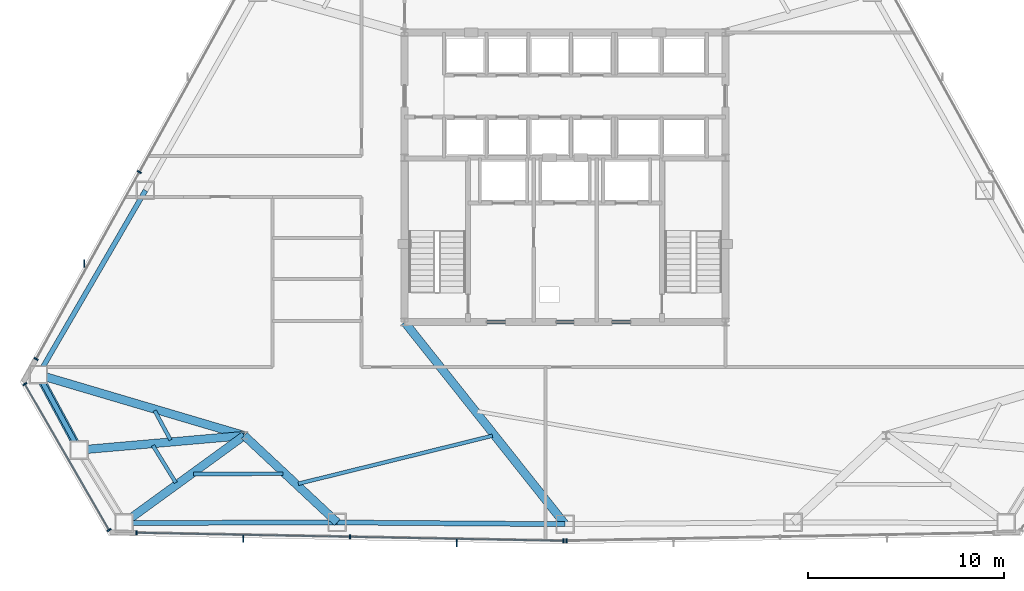
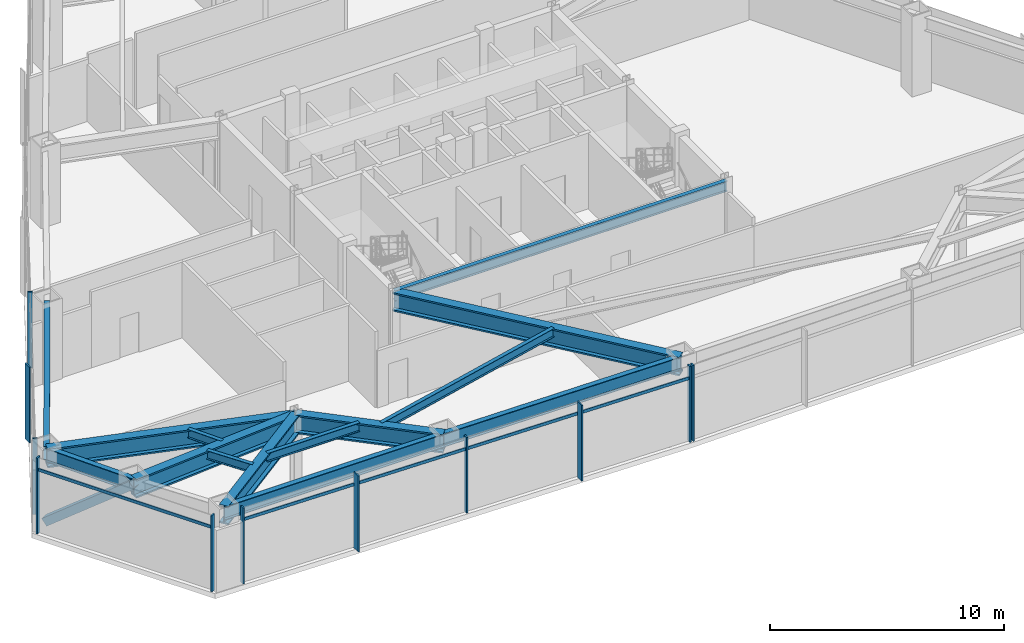
# One storey, part 4 of 13: 14 beams, 14 members, 4 elements without a shape of their own.
"""IFC4 building model written with IfcOpenShell, lengths in metres."""

from ifc_helpers import new_model, si_unit, direction, frame, origin, origin_2d, place, context, subcontext, project, spatial, rectangle, hollow_rectangle, i_section, extrude, source, transform, mapped, material, layer, layer_set, material_profile, profile_set, type_object, type_shapes, element, aggregate, save


model = new_model("IFC4")

# Units and contexts
model_context = context("Model", 3, precision=1e-05, world=origin(), true_north=direction((0.0, 1.0)))
body_context = subcontext(model_context, "Body", "Model", "MODEL_VIEW")
ifc_project = project(units=[si_unit("LENGTHUNIT", "METRE"), si_unit("AREAUNIT", "SQUARE_METRE"), si_unit("VOLUMEUNIT", "CUBIC_METRE"), si_unit("PLANEANGLEUNIT", "RADIAN"), si_unit("MASSUNIT", "GRAM", prefix="KILO")], contexts=[model_context])

# Site, building, storey
site_placement = place(None, origin())
site = spatial("IfcSite", under=ifc_project, at=site_placement, CompositionType="ELEMENT")
building_placement = place(site_placement, origin())
building = spatial("IfcBuilding", under=site, at=building_placement, Name="Varakhsha Concourse Tower", CompositionType="ELEMENT")
storey_placement = place(building_placement, frame((0.0, 0.0, 111.800048828125)))
storey = spatial("IfcBuildingStorey", under=building, at=storey_placement, Name="L32", CompositionType="ELEMENT", Elevation=111.800048828125)

# Beams
ifc_material_1 = material(Name="Structural Steel ASTM A992 Grade 50", Category="steel")
ifc_material_profile_1 = material_profile(ifc_material_1, i_section(OverallWidth=0.19091796875, OverallDepth=0.45703125, WebThickness=0.009033203125, FlangeThickness=0.013916015625, at=origin_2d()), Name="W18X50")
ifc_profile_set_1 = profile_set([ifc_material_profile_1], Name="Structural Steel ASTM A992 Grade 50")
beam_type_1 = type_object("IfcBeamType", Name="BM-JST-W18X50", PredefinedType="JOIST", material=ifc_profile_set_1)
beam_1_placement = place(storey_placement, frame((19.0244140625, 11.8720703125, 3.7314453125), z_axis=(0.47600188797, -0.879444257841, 0.0), x_axis=(0.879444257841, 0.47600188797, 0.0)))
element("IfcBeam", 1, at=beam_1_placement, inside=storey, type_object=beam_type_1, Name="BM-TJST-L32-07", PredefinedType="JOIST", context=body_context, shape_type="SweptSolid", body=[
    extrude(i_section(OverallWidth=0.19091796875, OverallDepth=0.45703125, WebThickness=0.009033203125, FlangeThickness=0.013916015625, at=origin_2d()), origin(), (0.0, 0.0, 1.0), 1.705810546875),
])
beam_2_placement = place(storey_placement, frame((18.934326171875, 10.093017578125, 3.7314453125), z_axis=(0.523590604285, -0.851969998947, 0.0), x_axis=(0.851969998947, 0.523590604285, 0.0)))
element("IfcBeam", 2, at=beam_2_placement, inside=storey, type_object=beam_type_1, Name="BM-TJST-L32-08", PredefinedType="JOIST", context=body_context, shape_type="SweptSolid", body=[
    extrude(i_section(OverallWidth=0.19091796875, OverallDepth=0.45703125, WebThickness=0.009033203125, FlangeThickness=0.013916015625, at=origin_2d()), origin(), (0.0, 0.0, 1.0), 2.231201171875),
])
beam_3_placement = place(storey_placement, frame((21.00732421875, 8.634765625, 3.7314453125), z_axis=(0.999997113859, 0.002402555799, 0.0), x_axis=(-0.002402555799, 0.999997113859, 0.0)))
element("IfcBeam", 3, at=beam_3_placement, inside=storey, type_object=beam_type_1, Name="BM-TJST-L32-09", PredefinedType="JOIST", context=body_context, shape_type="SweptSolid", body=[
    extrude(i_section(OverallWidth=0.19091796875, OverallDepth=0.45703125, WebThickness=0.009033203125, FlangeThickness=0.013916015625, at=origin_2d()), origin(), (0.0, 0.0, 1.0), 4.57275390625),
])
beam_4_placement = place(storey_placement, frame((26.3671875, 8.139404296875, 3.7314453125), z_axis=(0.970824627134, 0.239790623982, 0.0), x_axis=(-0.239790623982, 0.970824627134, 0.0)))
element("IfcBeam", 4, at=beam_4_placement, inside=storey, type_object=beam_type_1, Name="BM-TJST-L32-10", PredefinedType="JOIST", context=body_context, shape_type="SweptSolid", body=[
    extrude(i_section(OverallWidth=0.19091796875, OverallDepth=0.45703125, WebThickness=0.009033203125, FlangeThickness=0.013916015625, at=origin_2d()), origin(), (0.0, 0.0, 1.0), 10.216064453125),
])
ifc_material_profile_2 = material_profile(ifc_material_1, i_section(OverallWidth=0.2109375, OverallDepth=0.5390625, WebThickness=0.011962890625, FlangeThickness=0.01904296875, at=origin_2d()), Name="W21X73")
ifc_profile_set_2 = profile_set([ifc_material_profile_2], Name="Structural Steel ASTM A992 Grade 50")
beam_type_2 = type_object("IfcBeamType", Name="BM-RAD-W21X73", PredefinedType="BEAM", material=ifc_profile_set_2)
beam_5_placement = place(storey_placement, frame((31.800048828125, 16.39990234375, 3.6904296875), z_axis=(1.0, 0.0, 0.0), x_axis=(0.0, 1.0, 0.0)))
element("IfcBeam", 5, at=beam_5_placement, inside=storey, type_object=beam_type_2, Name="BM-TCORE-L32-CS", PredefinedType="BEAM", context=body_context, shape_type="SweptSolid", body=[
    extrude(i_section(OverallWidth=0.2109375, OverallDepth=0.5390625, WebThickness=0.011962890625, FlangeThickness=0.01904296875, at=origin_2d()), origin(), (0.0, 0.0, 1.0), 16.39990234375),
])
ifc_material_profile_3 = material_profile(ifc_material_1, i_section(OverallWidth=0.25390625, OverallDepth=0.701904296875, WebThickness=0.014892578125, FlangeThickness=0.028076171875, at=origin_2d()), Name="W27X129")
ifc_profile_set_3 = profile_set([ifc_material_profile_3], Name="Structural Steel ASTM A992 Grade 50")
beam_type_3 = type_object("IfcBeamType", Name="BM-SPAN-W27X129", PredefinedType="SPANDREL", material=ifc_profile_set_3)
beam_6_placement = place(storey_placement, frame((18.551513671875, 23.131591796875, 3.60888671875), z_axis=(-0.50210577919, -0.864806213267, 0.0), x_axis=(0.864806213267, -0.50210577919, 0.0)))
element("IfcBeam", 6, at=beam_6_placement, inside=storey, type_object=beam_type_3, Name="BM-SPAN-L32-06", PredefinedType="SPANDREL", context=body_context, shape_type="SweptSolid", body=[
    extrude(i_section(OverallWidth=0.25390625, OverallDepth=0.701904296875, WebThickness=0.014892578125, FlangeThickness=0.028076171875, at=origin_2d()), origin(), (0.0, 0.0, 1.0), 10.89306640625),
])
beam_7_placement = place(storey_placement, frame((13.08203125, 13.711181640625, 3.60888671875), z_axis=(0.476004611829, -0.879442783538, 0.0), x_axis=(0.879442783538, 0.476004611829, 0.0)))
element("IfcBeam", 7, at=beam_7_placement, inside=storey, type_object=beam_type_3, Name="BM-SPAN-L32-07", PredefinedType="SPANDREL", context=body_context, shape_type="SweptSolid", body=[
    extrude(i_section(OverallWidth=0.25390625, OverallDepth=0.701904296875, WebThickness=0.014892578125, FlangeThickness=0.028076171875, at=origin_2d()), origin(), (0.0, 0.0, 1.0), 4.376953125),
])
beam_8_placement = place(storey_placement, frame((17.45751953125, 6.1328125, 3.60888671875), z_axis=(0.999997070487, 0.00242054067, 0.0), x_axis=(-0.00242054067, 0.999997070487, 0.0)))
element("IfcBeam", 8, at=beam_8_placement, inside=storey, type_object=beam_type_3, Name="BM-SPAN-L32-09", PredefinedType="SPANDREL", context=body_context, shape_type="SweptSolid", body=[
    extrude(i_section(OverallWidth=0.25390625, OverallDepth=0.701904296875, WebThickness=0.014892578125, FlangeThickness=0.028076171875, at=origin_2d()), origin(), (0.0, 0.0, 1.0), 10.89306640625),
])
beam_9_placement = place(storey_placement, frame((28.3505859375, 6.1591796875, 3.60888671875), z_axis=(0.999971223343, -0.007586335461, 0.0), x_axis=(0.007586335461, 0.999971223343, 0.0)))
element("IfcBeam", 9, at=beam_9_placement, inside=storey, type_object=beam_type_3, Name="BM-SPAN-L32-10", PredefinedType="SPANDREL", context=body_context, shape_type="SweptSolid", body=[
    extrude(i_section(OverallWidth=0.25390625, OverallDepth=0.701904296875, WebThickness=0.014892578125, FlangeThickness=0.028076171875, at=origin_2d()), origin(), (0.0, 0.0, 1.0), 11.649658203125),
])
ifc_material_profile_4 = material_profile(ifc_material_1, i_section(OverallWidth=0.427978515625, OverallDepth=0.97509765625, WebThickness=0.050048828125, FlangeThickness=0.0810546875, at=origin_2d()), Name="W36X395")
ifc_profile_set_4 = profile_set([ifc_material_profile_4], Name="Structural Steel ASTM A992 Grade 50")
beam_type_4 = type_object("IfcBeamType", Name="BM-XFER-W36X395", PredefinedType="USERDEFINED", material=ifc_profile_set_4)
beam_10_placement = place(storey_placement, frame((23.60009765625, 10.60009765625, 3.472412109375), z_axis=(-0.958931612547, 0.283637378457, 0.0), x_axis=(-0.283637378457, -0.958931612547, 0.0)))
element("IfcBeam", 10, at=beam_10_placement, inside=storey, type_object=beam_type_4, Name="L32 Radial Floor Girder 07", ObjectType="GIRDER", PredefinedType="USERDEFINED", context=body_context, shape_type="SweptSolid", body=[
    extrude(i_section(OverallWidth=0.427978515625, OverallDepth=0.97509765625, WebThickness=0.050048828125, FlangeThickness=0.0810546875, at=origin_2d()), origin(), (0.0, 0.0, 1.0), 10.968505859375),
])
beam_11_placement = place(storey_placement, frame((23.60009765625, 10.60009765625, 3.472412109375), z_axis=(-0.996191087958, -0.087196996931, 0.0), x_axis=(0.087196996931, -0.996191087958, 0.0)))
element("IfcBeam", 11, at=beam_11_placement, inside=storey, type_object=beam_type_4, Name="L32 Radial Floor Girder 08", ObjectType="GIRDER", PredefinedType="USERDEFINED", context=body_context, shape_type="SweptSolid", body=[
    extrude(i_section(OverallWidth=0.427978515625, OverallDepth=0.97509765625, WebThickness=0.050048828125, FlangeThickness=0.0810546875, at=origin_2d()), origin(), (0.0, 0.0, 1.0), 8.466796875),
])
beam_12_placement = place(storey_placement, frame((23.60009765625, 10.60009765625, 3.472412109375), z_axis=(-0.808738864301, -0.588167875158, 0.0), x_axis=(0.588167875158, -0.808738864301, 0.0)))
element("IfcBeam", 12, at=beam_12_placement, inside=storey, type_object=beam_type_4, Name="L32 Radial Floor Girder 09", ObjectType="GIRDER", PredefinedType="USERDEFINED", context=body_context, shape_type="SweptSolid", body=[
    extrude(i_section(OverallWidth=0.427978515625, OverallDepth=0.97509765625, WebThickness=0.050048828125, FlangeThickness=0.0810546875, at=origin_2d()), origin(), (0.0, 0.0, 1.0), 7.59521484375),
])
beam_13_placement = place(storey_placement, frame((23.60009765625, 10.60009765625, 3.472412109375), z_axis=(0.730508210248, -0.68290391327, 0.0), x_axis=(0.68290391327, 0.730508210248, 0.0)))
element("IfcBeam", 13, at=beam_13_placement, inside=storey, type_object=beam_type_4, Name="L32 Radial Floor Girder 10", ObjectType="GIRDER", PredefinedType="USERDEFINED", context=body_context, shape_type="SweptSolid", body=[
    extrude(i_section(OverallWidth=0.427978515625, OverallDepth=0.97509765625, WebThickness=0.050048828125, FlangeThickness=0.0810546875, at=origin_2d()), origin(), (0.0, 0.0, 1.0), 6.5029296875),
])
beam_14_placement = place(storey_placement, frame((31.800048828125, 16.39990234375, 3.472412109375), z_axis=(0.621762598912, -0.78320576517, 0.0), x_axis=(0.78320576517, 0.621762598912, 0.0)))
element("IfcBeam", 14, at=beam_14_placement, inside=storey, type_object=beam_type_4, Name="L32 Radial Floor Girder 11", ObjectType="GIRDER", PredefinedType="USERDEFINED", context=body_context, shape_type="SweptSolid", body=[
    extrude(i_section(OverallWidth=0.427978515625, OverallDepth=0.97509765625, WebThickness=0.050048828125, FlangeThickness=0.0810546875, at=origin_2d()), origin(), (0.0, 0.0, 1.0), 13.188232421875),
])

# Member
ifc_material_2 = material(Name="Structural Steel ASTM A500 Grade C", Category="steel")
ifc_material_profile_5 = material_profile(ifc_material_2, hollow_rectangle(XDim=0.39990234375, YDim=0.39990234375, WallThickness=0.01611328125, at=origin_2d()), Name="HSS 400x400x16")
ifc_profile_set_5 = profile_set([ifc_material_profile_5], Name="Structural Steel ASTM A500 Grade C")
member_type_1 = type_object("IfcMemberType", Name="MB-TUBE-HSS400", PredefinedType="BRACE", material=ifc_profile_set_5)
shared_shape_1 = source(origin(), body_context, "Body", "SweptSolid", [
    extrude(hollow_rectangle(XDim=0.39990234375, YDim=0.39990234375, WallThickness=0.01611328125, at=origin_2d()), origin(), (0.0, 0.0, 1.0), 5.62939453125),
])
type_shapes(member_type_1, [shared_shape_1])
member_1_placement = place(storey_placement, frame((13.08203125, 13.711181640625, 0.119873046875), z_axis=(0.370108040443, -0.68379347008, 0.6288453933), x_axis=(0.879442783538, 0.476004611829, 0.0)))
element("IfcMember", 15, at=member_1_placement, inside=storey, type_object=member_type_1, Name="L32 Wind-Corner Tube Brace B03", PredefinedType="BRACE", context=body_context, shape_type="MappedRepresentation", body=[
    mapped(shared_shape_1, transform((0.0, 0.0, 0.0), scale=1.0)),
])

# Curtain wall, members
ifc_material_3 = material(Name="Anodised Bronze Architectural Aluminium AA 6063-T6", Category="aluminium")
ifc_layer = layer(ifc_material_3, 0.2099609375, Name="CW-SYS-04")
ifc_layer_set = layer_set([ifc_layer], Name="Anodised Bronze Architectural Aluminium AA 6063-T6")
curtain_wall_type = type_object("IfcCurtainWallType", Name="CW-SYS-04", PredefinedType="NOTDEFINED", material=ifc_layer_set)
curtain_wall_1_placement = place(storey_placement, origin())
curtain_wall_1 = element("IfcCurtainWall", 16, at=curtain_wall_1_placement, inside=storey, type_object=curtain_wall_type, Name="L32 Crystal Curtain Wall F3", PredefinedType="NOTDEFINED")
ifc_material_profile_6 = material_profile(ifc_material_3, rectangle(XDim=0.074951171875, YDim=0.219970703125, at=origin_2d()), Name="CWM-220X75")
ifc_profile_set_6 = profile_set([ifc_material_profile_6], Name="Anodised Bronze Architectural Aluminium AA 6063-T6")
member_type_2 = type_object("IfcMemberType", Name="CWM-220X75", PredefinedType="MULLION", material=ifc_profile_set_6)
shared_shape_2 = source(origin(), body_context, "Body", "SweptSolid", [
    extrude(rectangle(XDim=0.074951171875, YDim=0.219970703125, at=origin_2d()), origin(), (0.0, 0.0, 1.0), 3.9599609375),
])
type_shapes(member_type_2, [shared_shape_2])
member_2_placement = place(storey_placement, frame((12.9658203125, 14.50927734375, 0.0), z_axis=(0.0, 0.0, 1.0), x_axis=(0.483536006627, 0.875324471436, 0.0)))
member_2 = element("IfcMember", 17, at=member_2_placement, type_object=member_type_2, Name="CW-L32-F3 Mullion 00", PredefinedType="MULLION", context=body_context, shape_type="MappedRepresentation", body=[
    mapped(shared_shape_2, transform((0.0, 0.0, 0.0), scale=1.0)),
])
member_3_placement = place(storey_placement, frame((18.2451171875, 24.06640625, 0.0), z_axis=(0.0, 0.0, 1.0), x_axis=(0.483536006627, 0.875324471436, 0.0)))
member_3 = element("IfcMember", 18, at=member_3_placement, type_object=member_type_2, Name="CW-L32-F3 Mullion 01", PredefinedType="MULLION", context=body_context, shape_type="MappedRepresentation", body=[
    mapped(shared_shape_2, transform((0.0, 0.0, 0.0), scale=1.0)),
])

curtain_wall_2_placement = place(storey_placement, origin())
curtain_wall_2 = element("IfcCurtainWall", 19, at=curtain_wall_2_placement, inside=storey, type_object=curtain_wall_type, Name="L32 Chamfer Curtain Wall F4", PredefinedType="NOTDEFINED")
member_4_placement = place(storey_placement, frame((16.6962890625, 5.7705078125, 0.0), z_axis=(0.0, 0.0, 1.0), x_axis=(-0.499992442484, 0.866029767075, 0.0)))
member_4 = element("IfcMember", 20, at=member_4_placement, type_object=member_type_2, Name="CW-L32-F4 Mullion 00", PredefinedType="MULLION", context=body_context, shape_type="MappedRepresentation", body=[
    mapped(shared_shape_2, transform((0.0, 0.0, 0.0), scale=1.0)),
])
member_5_placement = place(storey_placement, frame((12.3876953125, 13.233154296875, 0.0), z_axis=(0.0, 0.0, 1.0), x_axis=(-0.499992442484, 0.866029767075, 0.0)))
member_5 = element("IfcMember", 21, at=member_5_placement, type_object=member_type_2, Name="CW-L32-F4 Mullion 01", PredefinedType="MULLION", context=body_context, shape_type="MappedRepresentation", body=[
    mapped(shared_shape_2, transform((0.0, 0.0, 0.0), scale=1.0)),
])

curtain_wall_3_placement = place(storey_placement, origin())
curtain_wall_3 = element("IfcCurtainWall", 22, at=curtain_wall_3_placement, inside=storey, type_object=curtain_wall_type, Name="L32 Crystal Curtain Wall F5", PredefinedType="NOTDEFINED")
member_6_placement = place(storey_placement, frame((39.923095703125, 5.22021484375, 0.0), z_axis=(0.0, 0.0, 1.0), x_axis=(-0.99982119913, 0.018909515352, 0.0)))
member_6 = element("IfcMember", 23, at=member_6_placement, type_object=member_type_2, Name="CW-L32-F5 Mullion 00", PredefinedType="MULLION", context=body_context, shape_type="MappedRepresentation", body=[
    mapped(shared_shape_2, transform((0.0, 0.0, 0.0), scale=1.0)),
])
member_7_placement = place(storey_placement, frame((29.0068359375, 5.426513671875, 0.0), z_axis=(0.0, 0.0, 1.0), x_axis=(-0.99982119913, 0.018909515352, 0.0)))
member_7 = element("IfcMember", 24, at=member_7_placement, type_object=member_type_2, Name="CW-L32-F5 Mullion 01", PredefinedType="MULLION", context=body_context, shape_type="MappedRepresentation", body=[
    mapped(shared_shape_2, transform((0.0, 0.0, 0.0), scale=1.0)),
])
member_8_placement = place(storey_placement, frame((18.090576171875, 5.633056640625, 0.0), z_axis=(0.0, 0.0, 1.0), x_axis=(-0.99982119913, 0.018909515352, 0.0)))
member_8 = element("IfcMember", 25, at=member_8_placement, type_object=member_type_2, Name="CW-L32-F5 Mullion 02", PredefinedType="MULLION", context=body_context, shape_type="MappedRepresentation", body=[
    mapped(shared_shape_2, transform((0.0, 0.0, 0.0), scale=1.0)),
])

# Curtain wall, member
curtain_wall_4_placement = place(storey_placement, origin())
curtain_wall_4 = element("IfcCurtainWall", 26, at=curtain_wall_4_placement, inside=storey, type_object=curtain_wall_type, Name="L32 Crystal Curtain Wall F6", PredefinedType="NOTDEFINED")
member_9_placement = place(storey_placement, frame((40.076904296875, 5.22021484375, 0.0), z_axis=(0.0, 0.0, 1.0), x_axis=(-0.99982119913, -0.018909515352, 0.0)))
member_9 = element("IfcMember", 27, at=member_9_placement, type_object=member_type_2, Name="CW-L32-F6 Mullion 02", PredefinedType="MULLION", context=body_context, shape_type="MappedRepresentation", body=[
    mapped(shared_shape_2, transform((0.0, 0.0, 0.0), scale=1.0)),
])
aggregate(curtain_wall_4, [member_9])

# Member
ifc_material_profile_7 = material_profile(ifc_material_3, rectangle(XDim=0.06494140625, YDim=0.159912109375, at=origin_2d()), Name="CWT-160X65")
ifc_profile_set_7 = profile_set([ifc_material_profile_7], Name="Anodised Bronze Architectural Aluminium AA 6063-T6")
member_type_3 = type_object("IfcMemberType", Name="CWT-160X65", PredefinedType="USERDEFINED", material=ifc_profile_set_7)
shared_shape_3 = source(origin(), body_context, "Body", "SweptSolid", [
    extrude(rectangle(XDim=0.06494140625, YDim=0.159912109375, at=origin_2d()), origin(), (0.0, 0.0, 1.0), 8.6171875),
])
member_10_placement = place(storey_placement, frame((16.6962890625, 5.7705078125, 3.31005859375), z_axis=(-0.500002854197, 0.866023755907, 0.0), x_axis=(-0.866023755907, -0.500002854197, 0.0)))
member_10 = element("IfcMember", 28, at=member_10_placement, type_object=member_type_3, Name="CW-L32-F4 Transom 01", ObjectType="TRANSOM", PredefinedType="USERDEFINED", context=body_context, shape_type="MappedRepresentation", body=[
    mapped(shared_shape_3, transform((0.0, 0.0, 0.0), scale=1.0)),
])

aggregate(curtain_wall_2, [member_4, member_5, member_10])

shared_shape_4 = source(origin(), body_context, "Body", "SweptSolid", [
    extrude(rectangle(XDim=0.06494140625, YDim=0.159912109375, at=origin_2d()), origin(), (0.0, 0.0, 1.0), 21.83642578125),
])
type_shapes(member_type_3, [shared_shape_3, shared_shape_4])
member_11_placement = place(storey_placement, frame((39.923095703125, 5.22021484375, 3.31005859375), z_axis=(-0.999821263537, 0.018906109595, 0.0), x_axis=(-0.018906109595, -0.999821263537, 0.0)))
member_11 = element("IfcMember", 29, at=member_11_placement, type_object=member_type_3, Name="CW-L32-F5 Transom 01", ObjectType="TRANSOM", PredefinedType="USERDEFINED", context=body_context, shape_type="MappedRepresentation", body=[
    mapped(shared_shape_4, transform((0.0, 0.0, 0.0), scale=1.0)),
])

ifc_material_profile_8 = material_profile(ifc_material_3, rectangle(XDim=0.06005859375, YDim=0.3798828125, at=origin_2d()), Name="FIN-BRZ-380")
ifc_profile_set_8 = profile_set([ifc_material_profile_8], Name="Anodised Bronze Architectural Aluminium AA 6063-T6")
member_type_4 = type_object("IfcMemberType", Name="FIN-BRZ-380", PredefinedType="USERDEFINED", material=ifc_profile_set_8)
shared_shape_5 = source(origin(), body_context, "Body", "SweptSolid", [
    extrude(rectangle(XDim=0.06005859375, YDim=0.3798828125, at=origin_2d()), origin(), (0.0, 0.0, 1.0), 3.9599609375),
])
type_shapes(member_type_4, [shared_shape_5])
member_12_placement = place(storey_placement, frame((15.426025390625, 19.386962890625, 0.0), z_axis=(0.0, 0.0, 1.0), x_axis=(1.0, 0.0, 0.0)))
member_12 = element("IfcMember", 30, at=member_12_placement, type_object=member_type_4, Name="L32 Anodised Bronze Solar Fin F3-1", ObjectType="SOLAR FIN", PredefinedType="USERDEFINED", context=body_context, shape_type="MappedRepresentation", body=[
    mapped(shared_shape_5, transform((0.0, 0.0, 0.0), scale=1.0)),
])

aggregate(curtain_wall_1, [member_2, member_3, member_12])

member_13_placement = place(storey_placement, frame((34.4609375, 5.118408203125, 0.0), z_axis=(0.0, 0.0, 1.0), x_axis=(1.0, 0.0, 0.0)))
member_13 = element("IfcMember", 31, at=member_13_placement, type_object=member_type_4, Name="L32 Anodised Bronze Solar Fin F5-1", ObjectType="SOLAR FIN", PredefinedType="USERDEFINED", context=body_context, shape_type="MappedRepresentation", body=[
    mapped(shared_shape_5, transform((0.0, 0.0, 0.0), scale=1.0)),
])

member_14_placement = place(storey_placement, frame((23.544677734375, 5.324951171875, 0.0), z_axis=(0.0, 0.0, 1.0), x_axis=(1.0, 0.0, 0.0)))
member_14 = element("IfcMember", 32, at=member_14_placement, type_object=member_type_4, Name="L32 Anodised Bronze Solar Fin F5-2", ObjectType="SOLAR FIN", PredefinedType="USERDEFINED", context=body_context, shape_type="MappedRepresentation", body=[
    mapped(shared_shape_5, transform((0.0, 0.0, 0.0), scale=1.0)),
])

aggregate(curtain_wall_3, [member_6, member_7, member_8, member_11, member_13, member_14])

save(model, "model.ifc")
